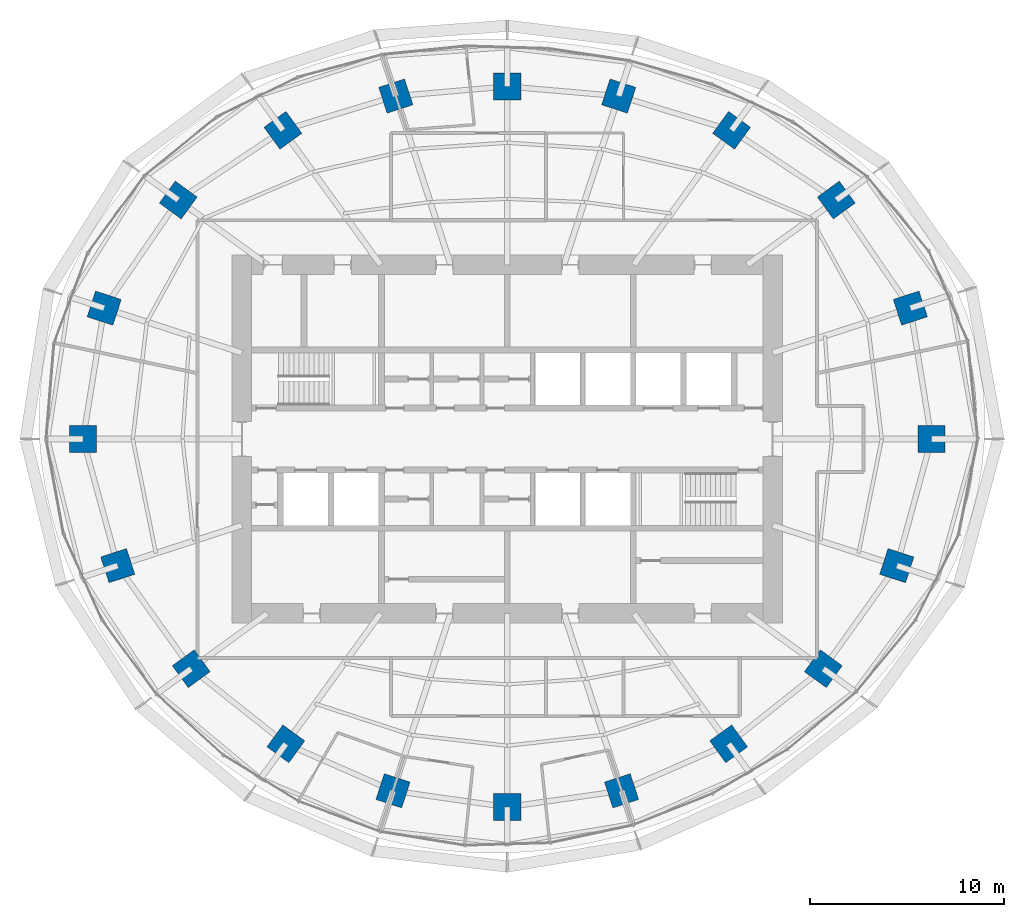
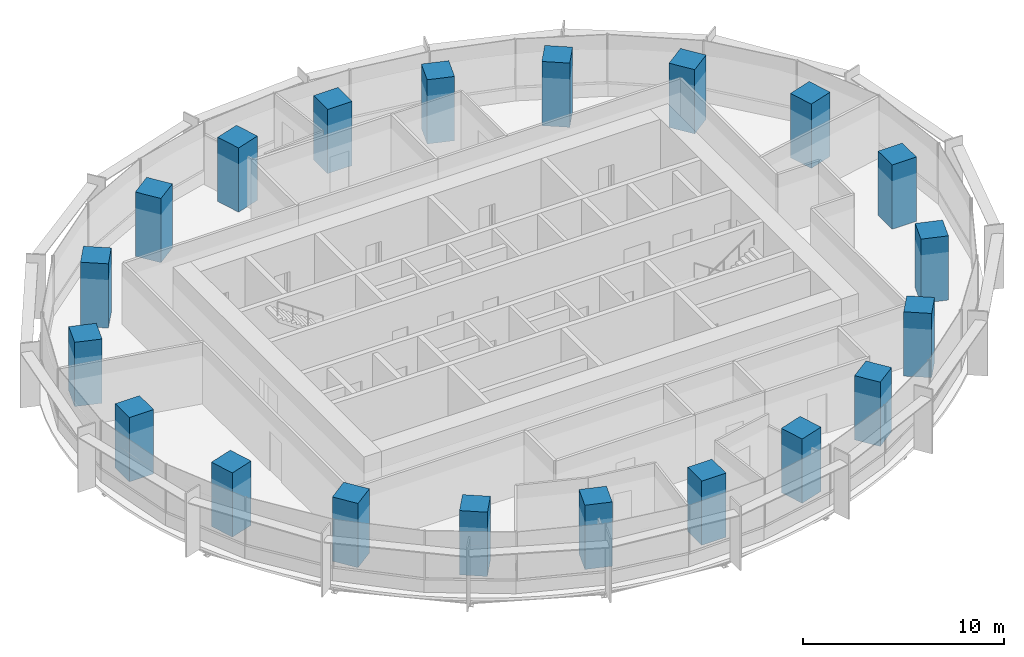
# One storey, part 1 of 15: 20 columns.
"""IFC4 building model written with IfcOpenShell, lengths in metres."""

from ifc_helpers import new_model, si_unit, direction, frame, origin, origin_2d, place, context, subcontext, project, spatial, rectangle, extrude, material, material_profile, profile_set, type_object, element, save


model = new_model("IFC4")

# Units and contexts
model_context = context("Model", 3, precision=1e-05, world=origin(), true_north=direction((0.0, 1.0)))
body_context = subcontext(model_context, "Body", "Model", "MODEL_VIEW")
ifc_project = project(units=[si_unit("LENGTHUNIT", "METRE"), si_unit("AREAUNIT", "SQUARE_METRE"), si_unit("VOLUMEUNIT", "CUBIC_METRE"), si_unit("PLANEANGLEUNIT", "RADIAN"), si_unit("MASSUNIT", "GRAM", prefix="KILO")], contexts=[model_context])

# Site, building, storey
site_placement = place(None, origin())
site = spatial("IfcSite", under=ifc_project, at=site_placement, CompositionType="ELEMENT")
building_placement = place(site_placement, origin())
building = spatial("IfcBuilding", under=site, at=building_placement, Name="Marramba Exchange Tower", CompositionType="ELEMENT")
storey_placement = place(building_placement, frame((0.0, 0.0, 226.699951171875)))
storey = spatial("IfcBuildingStorey", under=building, at=storey_placement, Name="L55", CompositionType="ELEMENT", Elevation=226.699951171875)

# Columns
ifc_material = material(Name="Concrete N50", Category="concrete")
ifc_material_profile = material_profile(ifc_material, rectangle(XDim=1.39990234375, YDim=1.39990234375, at=origin_2d()), Name="RC 1400x1400")
ifc_profile_set = profile_set([ifc_material_profile], Name="Concrete N50")
column_type = type_object("IfcColumnType", Name="Perimeter column RC 1400x1400 N50", PredefinedType="COLUMN", material=ifc_profile_set)
for number, where, z_axis, x_axis, name in (
    (1, (21.89990234375, 0.0, 0.0), (0.0, 0.0, 1.0), (1.0, 0.0, 0.0), "Column TC01 L55"),
    (2, (20.808349609375, 6.760986328125, 0.0), (0.0, 0.0, 1.0), (0.951056516295, 0.309016994375, 0.0), "Column TC02 L55"),
    (3, (16.98583984375, 12.3408203125, 0.0), (0.0, 0.0, 1.0), (0.809016994375, 0.587785252292, 0.0), "Column TC03 L55"),
    (4, (11.581298828125, 15.9404296875, 0.0), (0.0, 0.0, 1.0), (0.587785252292, 0.809016994375, 0.0), "Column TC04 L55"),
    (5, (5.75390625, 17.70849609375, 0.0), (0.0, 0.0, 1.0), (0.309016994375, 0.951056516295, 0.0), "Column TC05 L55"),
    (6, (0.0, 18.2041015625, 0.0), (0.0, 0.0, 1.0), (0.0, 1.0, 0.0), "Column TC06 L55"),
    (7, (-5.75390625, 17.70849609375, 0.0), (0.0, 0.0, 1.0), (-0.309016994375, 0.951056516295, 0.0), "Column TC07 L55"),
    (8, (-11.581298828125, 15.9404296875, 0.0), (0.0, 0.0, 1.0), (-0.587785252292, 0.809016994375, 0.0), "Column TC08 L55"),
    (9, (-16.98583984375, 12.3408203125, 0.0), (0.0, 0.0, 1.0), (-0.809016994375, 0.587785252292, 0.0), "Column TC09 L55"),
    (10, (-20.808349609375, 6.760986328125, 0.0), (0.0, 0.0, 1.0), (-0.951056516295, 0.309016994375, 0.0), "Column TC10 L55"),
    (11, (-21.89990234375, 0.0, 0.0), (0.0, 0.0, 1.0), (-1.0, 0.0, 0.0), "Column TC11 L55"),
    (12, (-20.109375, -6.533935546875, 0.0), (0.0, 0.0, 1.0), (-0.951056516295, -0.309016994375, 0.0), "Column TC12 L55"),
    (13, (-16.3154296875, -11.853759765625, 0.0), (0.0, 0.0, 1.0), (-0.809016994375, -0.587785252292, 0.0), "Column TC13 L55"),
    (14, (-11.430419921875, -15.732666015625, 0.0), (0.0, 0.0, 1.0), (-0.587785252292, -0.809016994375, 0.0), "Column TC14 L55"),
    (15, (-5.899658203125, -18.156982421875, 0.0), (0.0, 0.0, 1.0), (-0.309016994375, -0.951056516295, 0.0), "Column TC15 L55"),
    (16, (0.0, -18.99609375, 0.0), (0.0, 0.0, 1.0), (0.0, -1.0, 0.0), "Column TC16 L55"),
    (17, (5.899658203125, -18.156982421875, 0.0), (0.0, 0.0, 1.0), (0.309016994375, -0.951056516295, 0.0), "Column TC17 L55"),
    (18, (11.430419921875, -15.732666015625, 0.0), (0.0, 0.0, 1.0), (0.587785252292, -0.809016994375, 0.0), "Column TC18 L55"),
    (19, (16.3154296875, -11.853759765625, 0.0), (0.0, 0.0, 1.0), (0.809016994375, -0.587785252292, 0.0), "Column TC19 L55"),
    (20, (20.109375, -6.533935546875, 0.0), (0.0, 0.0, 1.0), (0.951056516295, -0.309016994375, 0.0), "Column TC20 L55"),
):
    element("IfcColumn", number, at=place(storey_placement, frame(where, z_axis=z_axis, x_axis=x_axis)), inside=storey, type_object=column_type, Name=name, PredefinedType="COLUMN", context=body_context, shape_type="SweptSolid", body=[
        extrude(rectangle(XDim=1.39990234375, YDim=1.39990234375, at=origin_2d()), origin(), (0.0, 0.0, 1.0), 3.900146484375),
    ])

save(model, "model.ifc")
